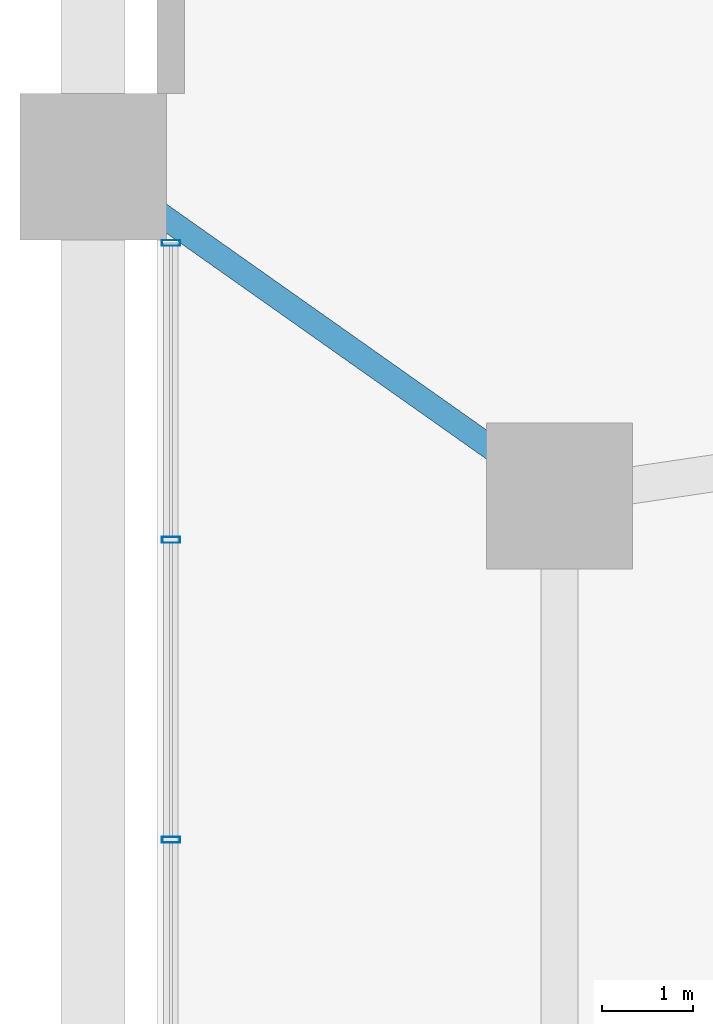
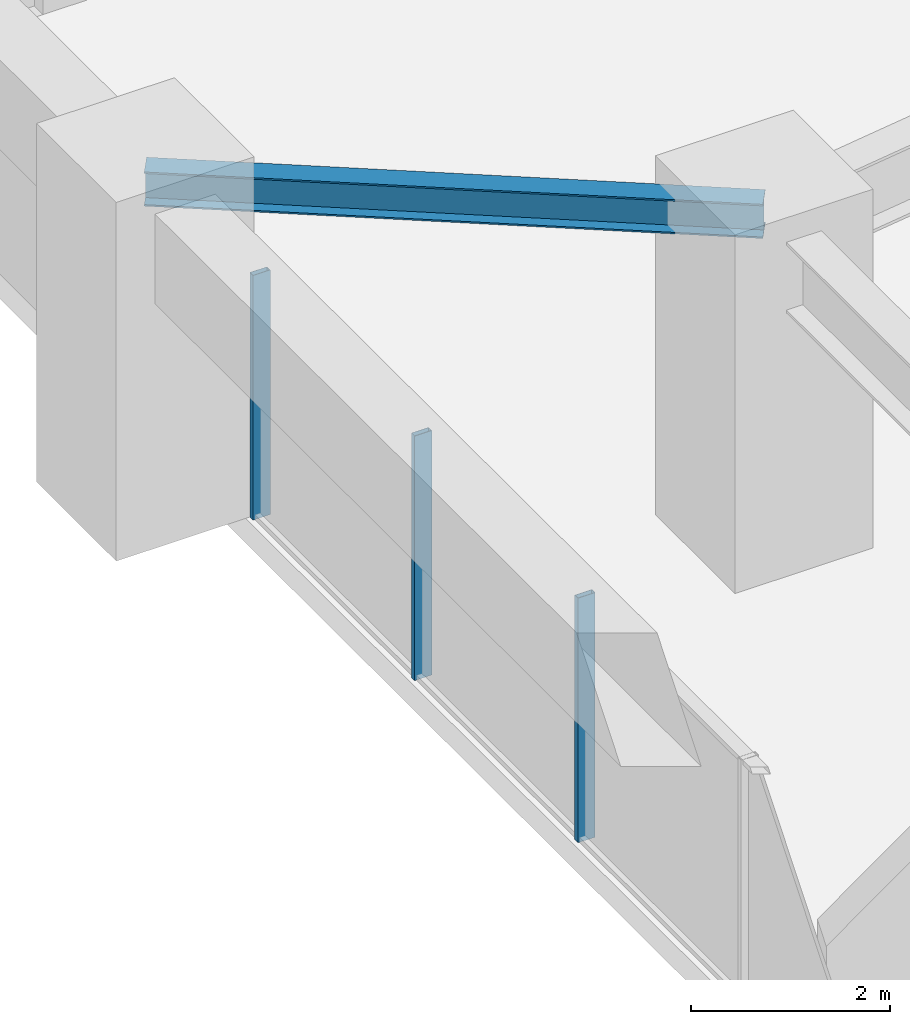
# One storey, part 6 of 16: 3 members, 1 beam, 1 element without a shape of its own.
"""IFC4 building model written with IfcOpenShell, lengths in metres."""

from ifc_helpers import new_model, si_unit, direction, frame, origin, origin_2d, place, context, subcontext, project, spatial, hollow_rectangle, i_section, extrude, source, transform, mapped, material, layer, layer_set, material_profile, profile_set, type_object, element, aggregate, save


model = new_model("IFC4")

# Units and contexts
model_context = context("Model", 3, precision=1e-05, world=origin(), true_north=direction((0.0, 1.0)))
body_context = subcontext(model_context, "Body", "Model", "MODEL_VIEW")
ifc_project = project(units=[si_unit("LENGTHUNIT", "METRE"), si_unit("AREAUNIT", "SQUARE_METRE"), si_unit("VOLUMEUNIT", "CUBIC_METRE"), si_unit("PLANEANGLEUNIT", "RADIAN"), si_unit("MASSUNIT", "GRAM", prefix="KILO")], contexts=[model_context])

# Site, building, storey
site_placement = place(None, origin())
site = spatial("IfcSite", under=ifc_project, at=site_placement, CompositionType="ELEMENT")
building_placement = place(site_placement, origin())
building = spatial("IfcBuilding", under=site, at=building_placement, Name="Veraguas Prism Commons", CompositionType="ELEMENT")
storey_placement = place(building_placement, frame((0.0, 0.0, 9.60009765625)))
storey = spatial("IfcBuildingStorey", under=building, at=storey_placement, Name="L02", CompositionType="ELEMENT", Elevation=9.60009765625)

# Beam
ifc_material_1 = material(Name="Steel ASTM A992 Grade 50", Category="steel")
ifc_material_profile_1 = material_profile(ifc_material_1, i_section(OverallWidth=0.260986328125, OverallDepth=0.419921875, WebThickness=0.01171875, FlangeThickness=0.019287109375, at=origin_2d()), Name="W410X114")
ifc_profile_set_1 = profile_set([ifc_material_profile_1], Name="Steel ASTM A992 Grade 50")
beam_type = type_object("IfcBeamType", Name="Lower Floor Joist W410x114", PredefinedType="JOIST", material=ifc_profile_set_1)
beam_placement = place(storey_placement, frame((6.39990234375, 29.39990234375, 3.889892578125), z_axis=(-0.816952688962, 0.576704693927, 0.0), x_axis=(-0.576704693927, -0.816952688962, 0.0)))
element("IfcBeam", 1, at=beam_placement, inside=storey, type_object=beam_type, Name="Podium Tie Beam L02-TMT05", PredefinedType="JOIST", context=body_context, shape_type="SweptSolid", body=[
    extrude(i_section(OverallWidth=0.260986328125, OverallDepth=0.419921875, WebThickness=0.01171875, FlangeThickness=0.019287109375, at=origin_2d()), origin(), (0.0, 0.0, 1.0), 6.242431640625),
])

# Curtain wall, members
ifc_material_2 = material(Name="Anodised aluminium EN AW-6063 T6", Category="aluminium")
ifc_layer = layer(ifc_material_2, 0.199951171875, Name="Metro Concourse Structural Glazing", Category="aluminium")
ifc_layer_set = layer_set([ifc_layer], Name="Anodised aluminium EN AW-6063 T6")
curtain_wall_type = type_object("IfcCurtainWallType", Name="Metro Concourse Structural Glazing", PredefinedType="NOTDEFINED", material=ifc_layer_set)
curtain_wall_placement = place(storey_placement, origin())
curtain_wall = element("IfcCurtainWall", 2, at=curtain_wall_placement, inside=storey, type_object=curtain_wall_type, Name="Via Espana Metro Concourse Curtain Wall L02-W02", PredefinedType="NOTDEFINED")
ifc_material_profile_2 = material_profile(ifc_material_2, hollow_rectangle(XDim=0.06494140625, YDim=0.199951171875, WallThickness=0.00390625, at=origin_2d()), Name="AL65X200X4")
ifc_profile_set_2 = profile_set([ifc_material_profile_2], Name="Anodised aluminium EN AW-6063 T6")
member_type = type_object("IfcMemberType", Name="Curtain Wall Mullion Heavy AL 65x200x4", PredefinedType="MULLION", material=ifc_profile_set_2)
shared_shape = source(origin(), body_context, "Body", "SweptSolid", [
    extrude(hollow_rectangle(XDim=0.06494140625, YDim=0.199951171875, WallThickness=0.00390625, at=origin_2d()), origin(), (0.0, 0.0, 1.0), 3.0),
])
member_1_placement = place(storey_placement, frame((2.14990234375, 32.16748046875, 0.0), z_axis=(0.0, 0.0, 1.0), x_axis=(0.0, -1.0, 0.0)))
member_1 = element("IfcMember", 3, at=member_1_placement, type_object=member_type, Name="CW-STN Mullion 1", PredefinedType="MULLION", context=body_context, shape_type="MappedRepresentation", body=[
    mapped(shared_shape, transform((0.0, 0.0, 0.0), scale=1.0)),
])
member_2_placement = place(storey_placement, frame((2.14990234375, 28.919921875, 0.0), z_axis=(0.0, 0.0, 1.0), x_axis=(0.0, -1.0, 0.0)))
member_2 = element("IfcMember", 4, at=member_2_placement, type_object=member_type, Name="CW-STN Mullion 2", PredefinedType="MULLION", context=body_context, shape_type="MappedRepresentation", body=[
    mapped(shared_shape, transform((0.0, 0.0, 0.0), scale=1.0)),
])
member_3_placement = place(storey_placement, frame((2.14990234375, 25.639892578125, 0.0), z_axis=(0.0, 0.0, 1.0), x_axis=(0.0, -1.0, 0.0)))
member_3 = element("IfcMember", 5, at=member_3_placement, type_object=member_type, Name="CW-STN Mullion 3", PredefinedType="MULLION", context=body_context, shape_type="MappedRepresentation", body=[
    mapped(shared_shape, transform((0.0, 0.0, 0.0), scale=1.0)),
])
aggregate(curtain_wall, [member_1, member_2, member_3])

save(model, "model.ifc")
